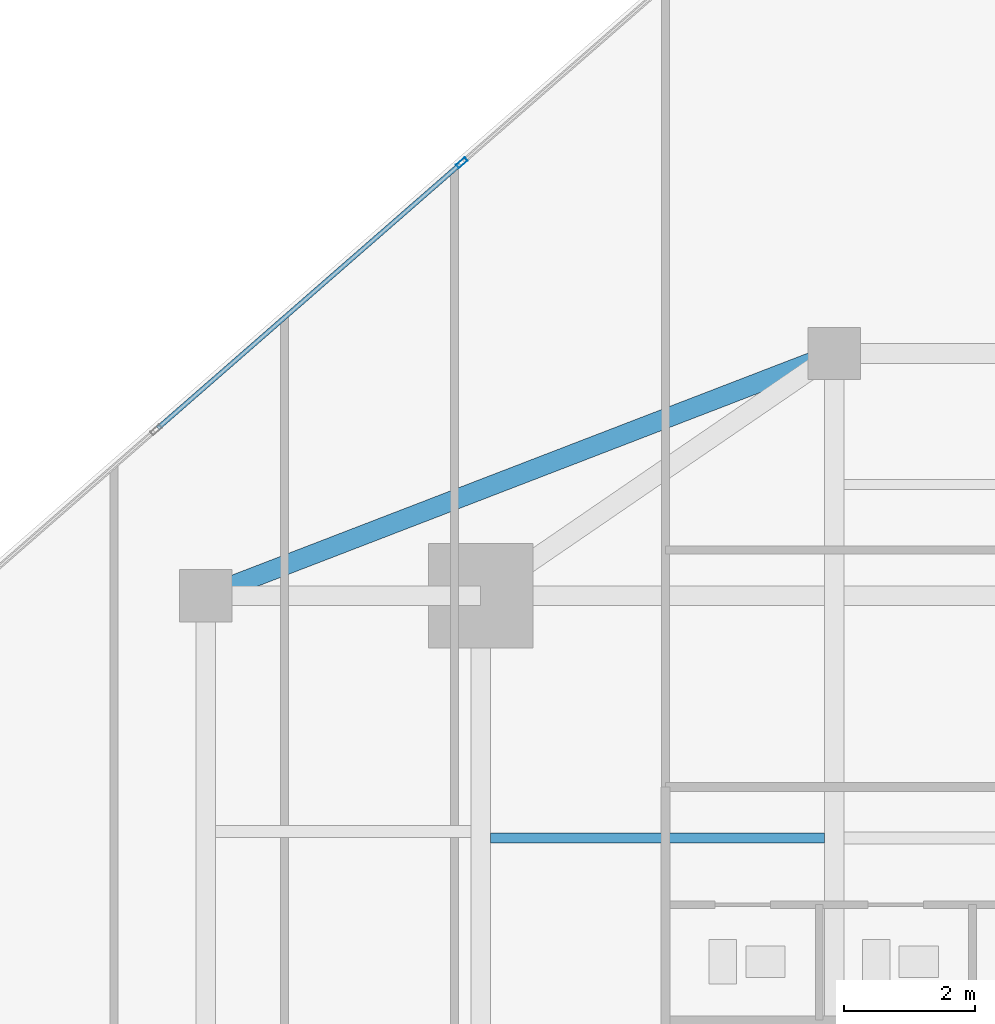
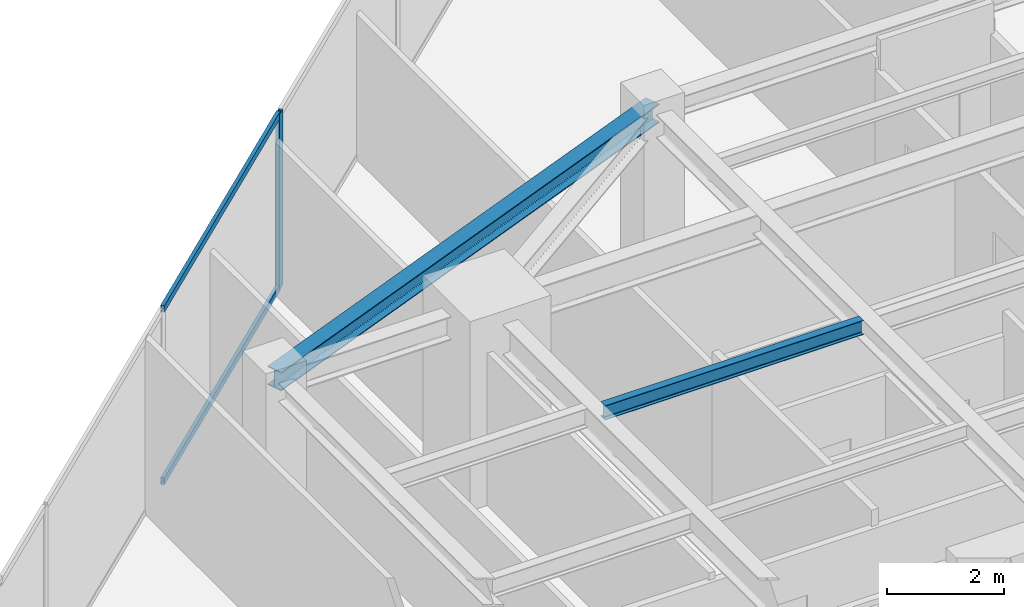
# One storey, part 14 of 24: 3 members, 2 beams, 1 element without a shape of its own.
"""IFC4 building model written with IfcOpenShell, lengths in metres."""

from ifc_helpers import new_model, si_unit, direction, frame, origin, origin_2d, place, context, subcontext, project, spatial, hollow_rectangle, i_section, extrude, source, transform, mapped, material, material_profile, profile_set, type_object, type_shapes, element, aggregate, save


model = new_model("IFC4")

# Units and contexts
model_context = context("Model", 3, precision=1e-05, world=origin(), true_north=direction((0.0, 1.0)))
body_context = subcontext(model_context, "Body", "Model", "MODEL_VIEW")
ifc_project = project(units=[si_unit("LENGTHUNIT", "METRE"), si_unit("AREAUNIT", "SQUARE_METRE"), si_unit("VOLUMEUNIT", "CUBIC_METRE"), si_unit("PLANEANGLEUNIT", "RADIAN"), si_unit("MASSUNIT", "GRAM", prefix="KILO")], contexts=[model_context])

# Site, building, storey
site_placement = place(None, origin())
site = spatial("IfcSite", under=ifc_project, at=site_placement, CompositionType="ELEMENT")
building_placement = place(site_placement, origin())
building = spatial("IfcBuilding", under=site, at=building_placement, Name="Krantzveldt Concourse Tower", CompositionType="ELEMENT")
storey_placement = place(building_placement, frame((0.0, 0.0, 254.699951171875)))
storey = spatial("IfcBuildingStorey", under=building, at=storey_placement, Name="L62", CompositionType="ELEMENT", Elevation=254.699951171875)

# Beams
ifc_material_1 = material(Name="Steel S355JR", Category="steel")
ifc_material_profile_1 = material_profile(ifc_material_1, i_section(OverallWidth=0.300048828125, OverallDepth=0.389892578125, WebThickness=0.010986328125, FlangeThickness=0.01904296875, FilletRadius=0.027099609375, at=origin_2d()), Name="Steel S355JR", Category="steel")
ifc_profile_set_1 = profile_set([ifc_material_profile_1], Name="Steel S355JR - HEA 400")
beam_type_1 = type_object("IfcBeamType", Name="BM-SP-HEA400", PredefinedType="SPANDREL", material=ifc_profile_set_1)
shared_shape_1 = source(origin(), body_context, "Body", "SweptSolid", [
    extrude(i_section(OverallWidth=0.300048828125, OverallDepth=0.389892578125, WebThickness=0.010986328125, FlangeThickness=0.01904296875, FilletRadius=0.027099609375, at=origin_2d()), origin(), (0.0, 0.0, 1.0), 10.288330078125),
])
type_shapes(beam_type_1, [shared_shape_1])
beam_1_placement = place(storey_placement, frame((21.0, 37.5, 3.47509765625), z_axis=(0.933097690408, 0.359622997257, 0.0), x_axis=(-0.359622997257, 0.933097690408, 0.0)))
element("IfcBeam", 1, at=beam_1_placement, inside=storey, type_object=beam_type_1, Name="L62 Tower Girder SP-R03", PredefinedType="SPANDREL", context=body_context, shape_type="MappedRepresentation", body=[
    mapped(shared_shape_1, transform((0.0, 0.0, 0.0), x_axis=(1.0, 0.0, 0.0), y_axis=(0.0, 1.0, 0.0), z_axis=(0.0, 0.0, 1.0), scale=1.0)),
])
ifc_material_profile_2 = material_profile(ifc_material_1, i_section(OverallWidth=0.14990234375, OverallDepth=0.300048828125, WebThickness=0.007080078125, FlangeThickness=0.0107421875, FilletRadius=0.014892578125, at=origin_2d()), Name="Steel S355JR", Category="steel")
ifc_profile_set_2 = profile_set([ifc_material_profile_2], Name="Steel S355JR - IPE 300")
beam_type_2 = type_object("IfcBeamType", Name="BM-J-IPE300", PredefinedType="JOIST", material=ifc_profile_set_2)
shared_shape_2 = source(origin(), body_context, "Body", "SweptSolid", [
    extrude(i_section(OverallWidth=0.14990234375, OverallDepth=0.300048828125, WebThickness=0.007080078125, FlangeThickness=0.0107421875, FilletRadius=0.014892578125, at=origin_2d()), origin(), (0.0, 0.0, 1.0), 5.099853515625),
])
type_shapes(beam_type_2, [shared_shape_2])
beam_2_placement = place(storey_placement, frame((25.35009765625, 33.800048828125, 3.52001953125), z_axis=(1.0, 0.0, 0.0), x_axis=(0.0, 1.0, 0.0)))
element("IfcBeam", 2, at=beam_2_placement, inside=storey, type_object=beam_type_2, Name="L62 Secondary Floor Joist JN-W2", PredefinedType="JOIST", context=body_context, shape_type="MappedRepresentation", body=[
    mapped(shared_shape_2, transform((0.0, 0.0, 0.0), x_axis=(1.0, 0.0, 0.0), y_axis=(0.0, 1.0, 0.0), z_axis=(0.0, 0.0, 1.0), scale=1.0)),
])

# Curtain wall, members
ifc_material_2 = material(Name="Anodised aluminium 6063-T6", Category="aluminium")
curtain_wall_type = type_object("IfcCurtainWallType", Name="CW3", PredefinedType="USERDEFINED", material=ifc_material_2)
curtain_wall_placement = place(storey_placement, origin())
curtain_wall = element("IfcCurtainWall", 3, at=curtain_wall_placement, inside=storey, type_object=curtain_wall_type, Name="CW-L62-F01", ObjectType="UNITISED CURTAIN WALL", PredefinedType="USERDEFINED")
ifc_material_profile_3 = material_profile(ifc_material_2, hollow_rectangle(XDim=0.070068359375, YDim=0.179931640625, WallThickness=0.0048828125, at=origin_2d()), Name="Anodised aluminium 6063-T6", Category="aluminium")
ifc_profile_set_3 = profile_set([ifc_material_profile_3], Name="Anodised aluminium 6063-T6 - ALU-MULL 180x70x5")
member_type_1 = type_object("IfcMemberType", Name="CW-MUL-180", PredefinedType="MULLION", material=ifc_profile_set_3)
shared_shape_3 = source(origin(), body_context, "Body", "SweptSolid", [
    extrude(hollow_rectangle(XDim=0.070068359375, YDim=0.179931640625, WallThickness=0.0048828125, at=origin_2d()), origin(), (0.0, 0.0, 1.0), 3.670166015625),
])
type_shapes(member_type_1, [shared_shape_3])
member_1_placement = place(storey_placement, frame((24.911376953125, 44.11328125, 0.0), z_axis=(0.0, 0.0, 1.0), x_axis=(0.657703938567, -0.753276529034, 0.0)))
member_1 = element("IfcMember", 4, at=member_1_placement, type_object=member_type_1, Name="CW-Z34 mullion 3", PredefinedType="MULLION", context=body_context, shape_type="MappedRepresentation", body=[
    mapped(shared_shape_3, transform((0.0, 0.0, 0.0), x_axis=(1.0, 0.0, 0.0), y_axis=(0.0, 1.0, 0.0), z_axis=(0.0, 0.0, 1.0), scale=1.0)),
])
ifc_material_profile_4 = material_profile(ifc_material_2, hollow_rectangle(XDim=0.070068359375, YDim=0.139892578125, WallThickness=0.0048828125, at=origin_2d()), Name="Anodised aluminium 6063-T6", Category="aluminium")
ifc_profile_set_4 = profile_set([ifc_material_profile_4], Name="Anodised aluminium 6063-T6 - ALU-TRAN 140x70x5")
member_type_2 = type_object("IfcMemberType", Name="CW-TRN-150", PredefinedType="USERDEFINED", material=ifc_profile_set_4)
shared_shape_4 = source(origin(), body_context, "Body", "SweptSolid", [
    extrude(hollow_rectangle(XDim=0.070068359375, YDim=0.139892578125, WallThickness=0.0048828125, at=origin_2d()), origin(), (0.0, 0.0, 1.0), 6.1298828125),
])
type_shapes(member_type_2, [shared_shape_4])
member_2_placement = place(storey_placement, frame((24.885009765625, 44.09033203125, 0.03515625), z_axis=(-0.753264636132, -0.657717559408, 0.0), x_axis=(0.657717559408, -0.753264636132, 0.0)))
member_2 = element("IfcMember", 5, at=member_2_placement, type_object=member_type_2, Name="CW-Z34 transom 3.1", ObjectType="TRANSOM", PredefinedType="USERDEFINED", context=body_context, shape_type="MappedRepresentation", body=[
    mapped(shared_shape_4, transform((0.0, 0.0, 0.0), x_axis=(1.0, 0.0, 0.0), y_axis=(0.0, 1.0, 0.0), z_axis=(0.0, 0.0, 1.0), scale=1.0)),
])
member_3_placement = place(storey_placement, frame((24.885009765625, 44.09033203125, 3.635009765625), z_axis=(-0.753264636132, -0.657717559408, 0.0), x_axis=(0.657717559408, -0.753264636132, 0.0)))
member_3 = element("IfcMember", 6, at=member_3_placement, type_object=member_type_2, Name="CW-Z34 transom 3.2", ObjectType="TRANSOM", PredefinedType="USERDEFINED", context=body_context, shape_type="MappedRepresentation", body=[
    mapped(shared_shape_4, transform((0.0, 0.0, 0.0), x_axis=(1.0, 0.0, 0.0), y_axis=(0.0, 1.0, 0.0), z_axis=(0.0, 0.0, 1.0), scale=1.0)),
])
aggregate(curtain_wall, [member_1, member_2, member_3])

save(model, "model.ifc")
